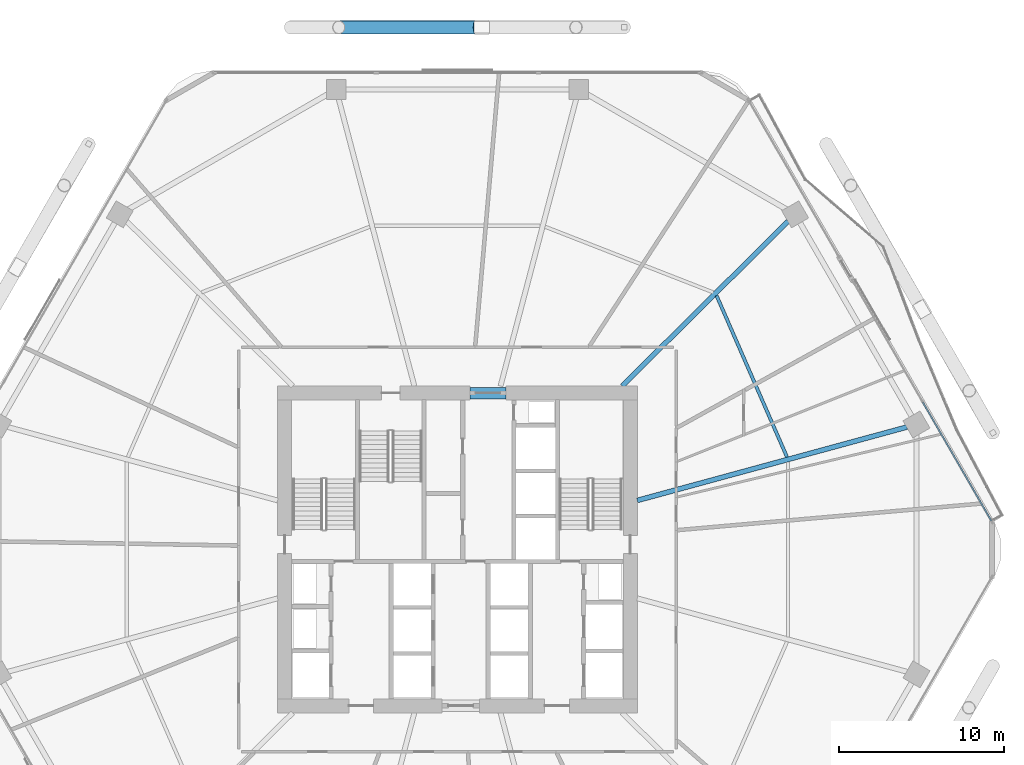
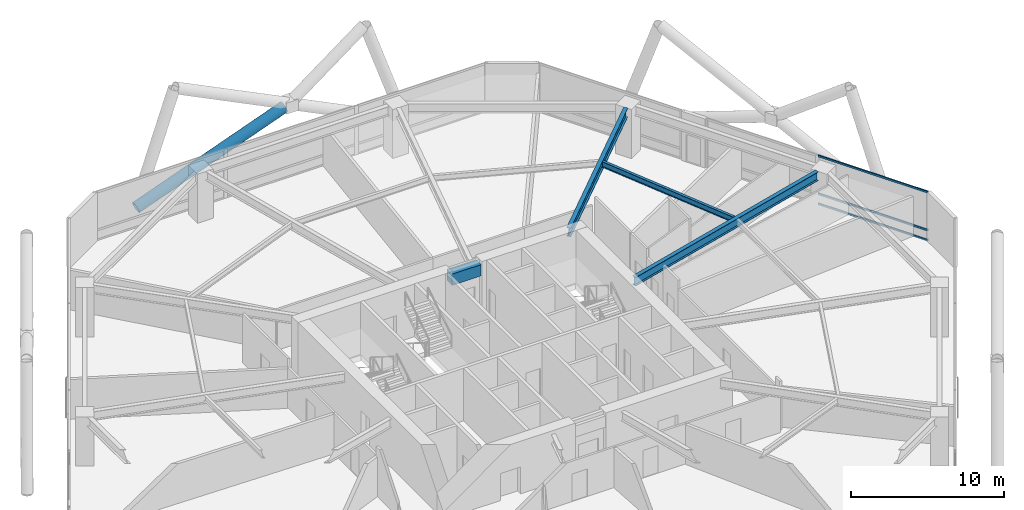
# One storey, part 18 of 31: 4 beams, 4 members, 1 element without a shape of its own.
"""IFC4 building model written with IfcOpenShell, lengths in metres."""

from ifc_helpers import new_model, si_unit, direction, frame, origin, origin_2d, place, context, subcontext, project, spatial, rectangle, hollow_rectangle, hollow_circle, i_section, extrude, material, material_profile, profile_set, type_object, element, aggregate, save


model = new_model("IFC4")

# Units and contexts
model_context = context("Model", 3, precision=1e-05, world=origin(), true_north=direction((0.0, 1.0)))
body_context = subcontext(model_context, "Body", "Model", "MODEL_VIEW")
ifc_project = project(units=[si_unit("LENGTHUNIT", "METRE"), si_unit("AREAUNIT", "SQUARE_METRE"), si_unit("VOLUMEUNIT", "CUBIC_METRE"), si_unit("PLANEANGLEUNIT", "RADIAN"), si_unit("MASSUNIT", "GRAM", prefix="KILO")], contexts=[model_context])

# Site, building, storey
site_placement = place(None, origin())
site = spatial("IfcSite", under=ifc_project, at=site_placement, CompositionType="ELEMENT")
building_placement = place(site_placement, origin())
building = spatial("IfcBuilding", under=site, at=building_placement, Name="Zuhravey Tower", CompositionType="ELEMENT")
storey_placement = place(building_placement, frame((0.0, 0.0, 7.800048828125)))
storey = spatial("IfcBuildingStorey", under=building, at=storey_placement, Name="L02", CompositionType="ELEMENT", Elevation=7.800048828125)

# Beam
ifc_material_1 = material(Name="Concrete C60/75", Category="concrete")
ifc_material_profile_1 = material_profile(ifc_material_1, rectangle(XDim=0.699951171875, YDim=0.89990234375, at=origin_2d()), Name="RC-700x900")
ifc_profile_set_1 = profile_set([ifc_material_profile_1], Name="Concrete C60/75")
beam_type_1 = type_object("IfcBeamType", Name="Core Coupling Beam RC700x900", PredefinedType="LINTEL", material=ifc_profile_set_1)
beam_1_placement = place(storey_placement, frame((36.751953125, 41.5, 3.469970703125), z_axis=(1.0, 0.0, 0.0), x_axis=(0.0, 1.0, 0.0)))
element("IfcBeam", 1, at=beam_1_placement, inside=storey, type_object=beam_type_1, Name="L02 CB1 BM-L02-CB-N", PredefinedType="LINTEL", context=body_context, shape_type="SweptSolid", body=[
    extrude(rectangle(XDim=0.699951171875, YDim=0.89990234375, at=origin_2d()), origin(), (0.0, 0.0, 1.0), 2.196044921875),
])

# Curtain wall, members
ifc_material_2 = material(Name="Thermally broken anodised aluminium", Category="aluminium")
curtain_wall_type = type_object("IfcCurtainWallType", Name="School Low-E Unitised Curtain Wall CW1", PredefinedType="NOTDEFINED", material=ifc_material_2)
curtain_wall_placement = place(storey_placement, origin())
curtain_wall = element("IfcCurtainWall", 2, at=curtain_wall_placement, inside=storey, type_object=curtain_wall_type, Name="L02 CW1 CW-L02-F1-2", PredefinedType="NOTDEFINED")
ifc_material_3 = material(Name="Anodised aluminium", Category="aluminium")
ifc_material_profile_2 = material_profile(ifc_material_3, hollow_rectangle(XDim=0.090087890625, YDim=0.14990234375, WallThickness=0.0048828125, at=origin_2d()), Name="ALU-RHS-90x150x5")
ifc_profile_set_2 = profile_set([ifc_material_profile_2], Name="Anodised aluminium")
member_type_1 = type_object("IfcMemberType", Name="Curtain-Wall Transom 90x150", PredefinedType="USERDEFINED", material=ifc_profile_set_2)
member_1_placement = place(storey_placement, frame((64.272216796875, 40.947998046875, 0.044921875), z_axis=(0.500010238213, -0.866019492669, 0.0), x_axis=(0.866019492669, 0.500010238213, 0.0)))
member_1 = element("IfcMember", 3, at=member_1_placement, type_object=member_type_1, Name="CW1 transom 2.1", ObjectType="TRANSOM", PredefinedType="USERDEFINED", context=body_context, shape_type="SweptSolid", body=[
    extrude(hollow_rectangle(XDim=0.090087890625, YDim=0.14990234375, WallThickness=0.0048828125, at=origin_2d()), origin(), (0.0, 0.0, 1.0), 8.322509765625),
])
member_2_placement = place(storey_placement, frame((64.272216796875, 40.947998046875, 0.849853515625), z_axis=(0.500010238213, -0.866019492669, 0.0), x_axis=(0.866019492669, 0.500010238213, 0.0)))
member_2 = element("IfcMember", 4, at=member_2_placement, type_object=member_type_1, Name="CW1 transom 2.2", ObjectType="TRANSOM", PredefinedType="USERDEFINED", context=body_context, shape_type="SweptSolid", body=[
    extrude(hollow_rectangle(XDim=0.090087890625, YDim=0.14990234375, WallThickness=0.0048828125, at=origin_2d()), origin(), (0.0, 0.0, 1.0), 8.322509765625),
])
member_3_placement = place(storey_placement, frame((64.272216796875, 40.947998046875, 3.875), z_axis=(0.500010238213, -0.866019492669, 0.0), x_axis=(0.866019492669, 0.500010238213, 0.0)))
member_3 = element("IfcMember", 5, at=member_3_placement, type_object=member_type_1, Name="CW1 transom 2.3", ObjectType="TRANSOM", PredefinedType="USERDEFINED", context=body_context, shape_type="SweptSolid", body=[
    extrude(hollow_rectangle(XDim=0.090087890625, YDim=0.14990234375, WallThickness=0.0048828125, at=origin_2d()), origin(), (0.0, 0.0, 1.0), 8.322509765625),
])
aggregate(curtain_wall, [member_1, member_2, member_3])

# Member
ifc_material_4 = material(Name="Steel SM460", Category="steel")
ifc_material_profile_3 = material_profile(ifc_material_4, hollow_circle(Radius=0.406494140625, WallThickness=0.035888671875, at=origin_2d()), Name="CHS-812.8x36")
ifc_profile_set_3 = profile_set([ifc_material_profile_3], Name="Steel SM460")
member_type_2 = type_object("IfcMemberType", Name="Exoskeleton Zone 1 Diagrid CHS813x36", PredefinedType="BRACE", material=ifc_profile_set_3)
member_4_placement = place(storey_placement, frame((25.90966796875, 63.718505859375, -0.64697265625), z_axis=(0.938125222302, 0.0, 0.346296213207), x_axis=(0.0, 1.0, 0.0)))
element("IfcMember", 6, at=member_4_placement, inside=storey, type_object=member_type_2, Name="L02 Face 2 Split Diagrid Brace 3A", PredefinedType="BRACE", context=body_context, shape_type="SweptSolid", body=[
    extrude(hollow_circle(Radius=0.406494140625, WallThickness=0.035888671875, at=origin_2d()), origin(), (0.0, 0.0, 1.0), 11.927978515625),
])

# Beams
ifc_material_5 = material(Name="Steel SM355", Category="steel")
ifc_material_profile_4 = material_profile(ifc_material_5, i_section(OverallWidth=0.300048828125, OverallDepth=0.699951171875, WebThickness=0.012939453125, FlangeThickness=0.02392578125, at=origin_2d()), Name="H-700x300x13x24")
ifc_profile_set_4 = profile_set([ifc_material_profile_4], Name="Steel SM355")
beam_type_2 = type_object("IfcBeamType", Name="Radial Primary Girder H700x300", PredefinedType="BEAM", material=ifc_profile_set_4)
beam_2_placement = place(storey_placement, frame((46.927978515625, 34.974609375, 3.570068359375), z_axis=(0.964892480455, 0.26264520015, 0.0), x_axis=(-0.26264520015, 0.964892480455, 0.0)))
element("IfcBeam", 7, at=beam_2_placement, inside=storey, type_object=beam_type_2, Name="L02 RG1 BM-L02-RAD-01", PredefinedType="BEAM", context=body_context, shape_type="SweptSolid", body=[
    extrude(i_section(OverallWidth=0.300048828125, OverallDepth=0.699951171875, WebThickness=0.012939453125, FlangeThickness=0.02392578125, at=origin_2d()), origin(), (0.0, 0.0, 1.0), 16.975341796875),
])
beam_3_placement = place(storey_placement, frame((46.007080078125, 41.927978515625, 3.570068359375), z_axis=(0.709902823282, 0.704299639, 0.0), x_axis=(-0.704299639, 0.709902823282, 0.0)))
element("IfcBeam", 8, at=beam_3_placement, inside=storey, type_object=beam_type_2, Name="L02 RG1 BM-L02-RAD-02", PredefinedType="BEAM", context=body_context, shape_type="SweptSolid", body=[
    extrude(i_section(OverallWidth=0.300048828125, OverallDepth=0.699951171875, WebThickness=0.012939453125, FlangeThickness=0.02392578125, at=origin_2d()), origin(), (0.0, 0.0, 1.0), 14.204345703125),
])
ifc_material_profile_5 = material_profile(ifc_material_5, i_section(OverallWidth=0.199951171875, OverallDepth=0.449951171875, WebThickness=0.009033203125, FlangeThickness=0.013916015625, at=origin_2d()), Name="H-450x200x9x14")
ifc_profile_set_5 = profile_set([ifc_material_profile_5], Name="Steel SM355")
beam_type_3 = type_object("IfcBeamType", Name="Secondary Floor Joist H450x200", PredefinedType="JOIST", material=ifc_profile_set_5)
beam_4_placement = place(storey_placement, frame((56.025390625, 37.60888671875, 3.695068359375), z_axis=(-0.399923551578, 0.916548500022, 0.0), x_axis=(-0.916548500022, -0.399923551578, 0.0)))
element("IfcBeam", 9, at=beam_4_placement, inside=storey, type_object=beam_type_3, Name="L02 SJ1 BM-L02-SJ-01-1", PredefinedType="JOIST", context=body_context, shape_type="SweptSolid", body=[
    extrude(i_section(OverallWidth=0.199951171875, OverallDepth=0.449951171875, WebThickness=0.009033203125, FlangeThickness=0.013916015625, at=origin_2d()), origin(), (0.0, 0.0, 1.0), 10.70263671875),
])

save(model, "model.ifc")
